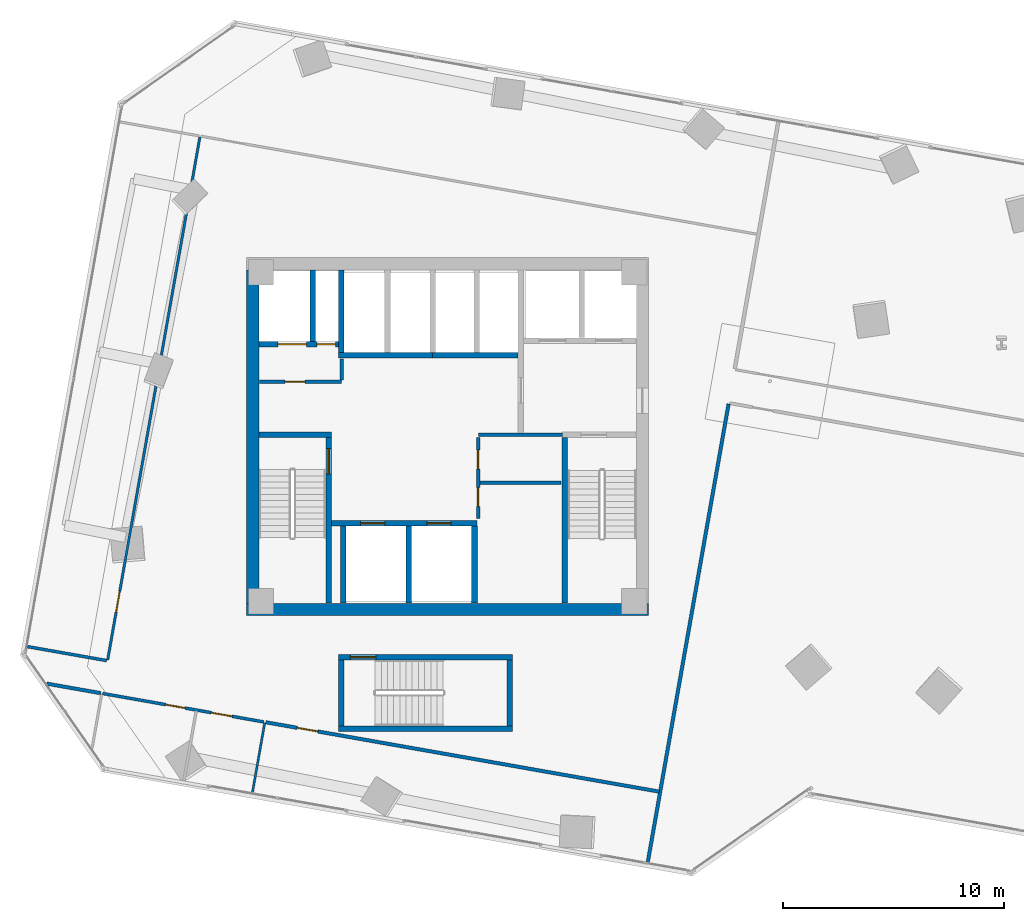
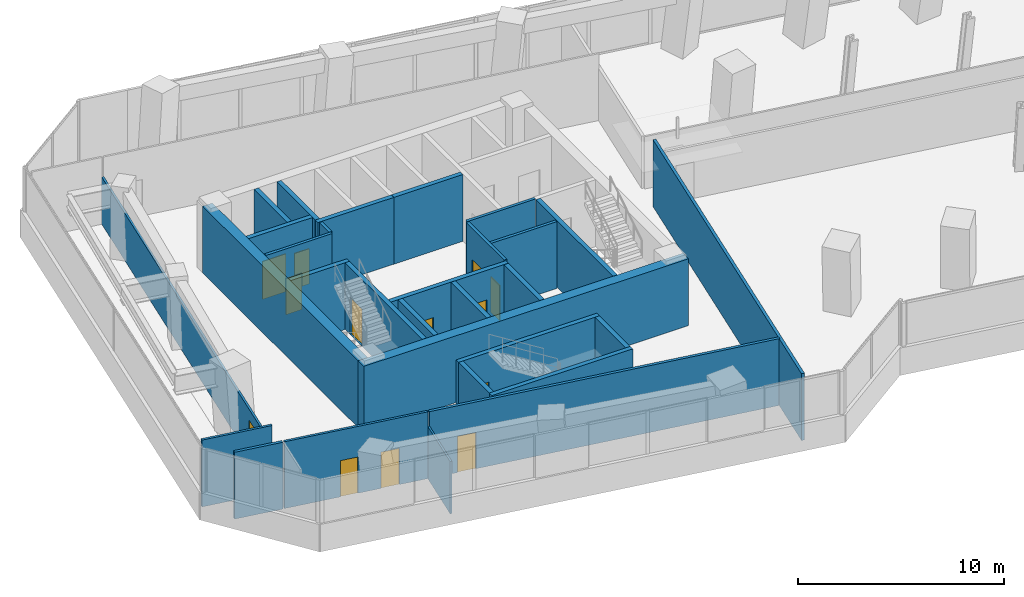
# One storey, part 19 of 24: 30 walls, 13 doors, 13 openings.
"""IFC4 building model written with IfcOpenShell, lengths in metres."""

from ifc_helpers import new_model, si_unit, direction, frame, frame_2d, origin, place, context, subcontext, project, spatial, rectangle, extrude, source, transform, mapped, material, layer, layer_set, type_object, element, fill, save


model = new_model("IFC4")

# Units and contexts
model_context = context("Model", 3, precision=1e-05, world=origin(), true_north=direction((0.0, 1.0)))
body_context = subcontext(model_context, "Body", "Model", "MODEL_VIEW")
ifc_project = project(units=[si_unit("LENGTHUNIT", "METRE"), si_unit("AREAUNIT", "SQUARE_METRE"), si_unit("VOLUMEUNIT", "CUBIC_METRE"), si_unit("PLANEANGLEUNIT", "RADIAN"), si_unit("MASSUNIT", "GRAM", prefix="KILO")], contexts=[model_context])

# Site, building, storey
site_placement = place(None, origin())
site = spatial("IfcSite", under=ifc_project, at=site_placement, CompositionType="ELEMENT")
building_placement = place(site_placement, origin())
building = spatial("IfcBuilding", under=site, at=building_placement, Name="Torre Montelarca", CompositionType="ELEMENT")
storey_placement = place(building_placement, frame((0.0, 0.0, 79.0)))
storey = spatial("IfcBuildingStorey", under=building, at=storey_placement, Name="L17", CompositionType="ELEMENT", Elevation=79.0)

# Wall, opening, door
ifc_material_1 = material(Name="Concrete C40/50", Category="concrete")
ifc_layer_1 = layer(ifc_material_1, 0.25, Name="Concrete C40/50", Category="concrete")
ifc_layer_set_1 = layer_set([ifc_layer_1], Name="Concrete C40/50")
wall_type_1 = type_object("IfcWallType", Name="CW-SHAFT-250", PredefinedType="SHEAR", material=ifc_layer_set_1)
wall_1_placement = place(storey_placement, frame((12.625, 24.4599609375, 0.0), z_axis=(0.0, 0.0, 1.0), x_axis=(0.0, 1.0, 0.0)))
wall_1 = element("IfcWall", 1, at=wall_1_placement, inside=storey, type_object=wall_type_1, Name="L17 Core Shear Wall SH-ST1-E", PredefinedType="SHEAR", context=body_context, shape_type="SweptSolid", body=[
    extrude(rectangle(XDim=7.489990234375, YDim=0.25, at=frame_2d((3.7451171875, 0.0))), origin(), (0.0, 0.0, 1.0), 3.9599609375),
])
opening_1_placement = place(wall_1_placement, frame((5.85009765625, 0.0, 0.0)))
opening_1 = element("IfcOpeningElement", 2, at=opening_1_placement, cuts=wall_1, Name="Opening FD-ST1", PredefinedType="OPENING", context=body_context, shape_type="SweptSolid", body=[
    extrude(rectangle(XDim=1.14990234375, YDim=2.199951171875, at=frame_2d((0.574951171875, 1.10009765625))), frame((0.0, 0.135009765625, 0.0), z_axis=(0.0, -1.0, 0.0), x_axis=(1.0, 0.0, 0.0)), (0.0, 0.0, 1.0), 0.27001953125),
])
ifc_material_2 = material(Name="Galvanized steel fire door", Category="steel")
door_type_1 = type_object("IfcDoorType", Name="DR-STAIR-115", OperationType="NOTDEFINED", PredefinedType="DOOR", material=ifc_material_2)
shared_shape_1 = source(origin(), body_context, "Body", "SweptSolid", [
    extrude(rectangle(XDim=1.14990234375, YDim=2.199951171875, at=frame_2d((0.574951171875, 1.10009765625))), frame((0.0, 0.02490234375, 0.0), z_axis=(0.0, -1.0, 0.0), x_axis=(1.0, 0.0, 0.0)), (0.0, 0.0, 1.0), 0.050048828125),
])
door_1_placement = place(opening_1_placement, origin())
door_1 = element("IfcDoor", 3, at=door_1_placement, inside=storey, type_object=door_type_1, Name="L17 Exit Stair ST1 Fire Door", OperationType="SINGLE_SWING_RIGHT", OverallHeight=2.199951171875, OverallWidth=1.14990234375, PredefinedType="DOOR", context=body_context, shape_type="MappedRepresentation", body=[
    mapped(shared_shape_1, transform((0.0, 0.0, 0.0), scale=1.0)),
])
fill(opening_1, door_1)

# Walls
wall_2_placement = place(storey_placement, frame((9.4599609375, 32.074951171875, 0.0), z_axis=(0.0, 0.0, 1.0), x_axis=(1.0, 0.0, 0.0)))
element("IfcWall", 4, at=wall_2_placement, inside=storey, type_object=wall_type_1, Name="L17 Core Shear Wall SH-ST1-N", PredefinedType="SHEAR", context=body_context, shape_type="SweptSolid", body=[
    extrude(rectangle(XDim=3.2900390625, YDim=0.25, at=frame_2d((1.64501953125, 0.0))), origin(), (0.0, 0.0, 1.0), 3.9599609375),
])
wall_3_placement = place(storey_placement, frame((23.31494140625, 24.4599609375, 0.0), z_axis=(0.0, 0.0, 1.0), x_axis=(0.0, 1.0, 0.0)))
element("IfcWall", 5, at=wall_3_placement, inside=storey, type_object=wall_type_1, Name="L17 Core Shear Wall SH-ST2-W", PredefinedType="SHEAR", context=body_context, shape_type="SweptSolid", body=[
    extrude(rectangle(XDim=7.489990234375, YDim=0.25, at=frame_2d((3.7451171875, 0.0))), origin(), (0.0, 0.0, 1.0), 3.9599609375),
])

# Wall, openings, doors
wall_4_placement = place(storey_placement, frame((9.4599609375, 36.179931640625, 0.0), z_axis=(0.0, 0.0, 1.0), x_axis=(1.0, 0.0, 0.0)))
wall_4 = element("IfcWall", 6, at=wall_4_placement, inside=storey, type_object=wall_type_1, Name="L17 Core Shear Wall SH-SV1-S", PredefinedType="SHEAR", context=body_context, shape_type="SweptSolid", body=[
    extrude(rectangle(XDim=3.7900390625, YDim=0.25, at=frame_2d((1.89501953125, 0.0))), origin(), (0.0, 0.0, 1.0), 3.9599609375),
])
opening_2_placement = place(wall_4_placement, frame((2.6201171875, 0.0, 0.0)))
opening_2 = element("IfcOpeningElement", 7, at=opening_2_placement, cuts=wall_4, Name="Opening FD-085", PredefinedType="OPENING", context=body_context, shape_type="SweptSolid", body=[
    extrude(rectangle(XDim=0.85009765625, YDim=2.10009765625, at=frame_2d((0.425048828125, 1.050048828125))), frame((0.0, 0.135009765625, 0.0), z_axis=(0.0, -1.0, 0.0), x_axis=(1.0, 0.0, 0.0)), (0.0, 0.0, 1.0), 0.27001953125),
])
opening_3_placement = place(wall_4_placement, frame((0.85009765625, 0.0, 0.0)))
opening_3 = element("IfcOpeningElement", 8, at=opening_3_placement, cuts=wall_4, Name="Opening LD-130", PredefinedType="OPENING", context=body_context, shape_type="SweptSolid", body=[
    extrude(rectangle(XDim=1.300048828125, YDim=2.25, at=frame_2d((0.64990234375, 1.125))), frame((0.0, 0.135009765625, 0.0), z_axis=(0.0, -1.0, 0.0), x_axis=(1.0, 0.0, 0.0)), (0.0, 0.0, 1.0), 0.27001953125),
])
ifc_material_3 = material(Name="Steel riser access fire door", Category="steel")
door_type_2 = type_object("IfcDoorType", Name="DR-RISER-085", OperationType="NOTDEFINED", PredefinedType="DOOR", material=ifc_material_3)
shared_shape_2 = source(origin(), body_context, "Body", "SweptSolid", [
    extrude(rectangle(XDim=0.85009765625, YDim=2.10009765625, at=frame_2d((0.425048828125, 1.050048828125))), frame((0.0, 0.02490234375, 0.0), z_axis=(0.0, -1.0, 0.0), x_axis=(1.0, 0.0, 0.0)), (0.0, 0.0, 1.0), 0.050048828125),
])
door_2_placement = place(opening_2_placement, origin())
door_2 = element("IfcDoor", 9, at=door_2_placement, inside=storey, type_object=door_type_2, Name="L17 Electrical Riser Shaft Access Door", OperationType="SINGLE_SWING_RIGHT", OverallHeight=2.10009765625, OverallWidth=0.85009765625, PredefinedType="DOOR", context=body_context, shape_type="MappedRepresentation", body=[
    mapped(shared_shape_2, transform((0.0, 0.0, 0.0), scale=1.0)),
])
fill(opening_2, door_2)
ifc_material_4 = material(Name="Brushed stainless steel AISI 316", Category="steel")
door_type_3 = type_object("IfcDoorType", Name="DR-LIFT-130", OperationType="SLIDING_TO_LEFT", PredefinedType="DOOR", material=ifc_material_4)
shared_shape_3 = source(origin(), body_context, "Body", "SweptSolid", [
    extrude(rectangle(XDim=1.300048828125, YDim=2.25, at=frame_2d((0.64990234375, 1.125))), frame((0.0, 0.02490234375, 0.0), z_axis=(0.0, -1.0, 0.0), x_axis=(1.0, 0.0, 0.0)), (0.0, 0.0, 1.0), 0.050048828125),
])
door_3_placement = place(opening_3_placement, origin())
door_3 = element("IfcDoor", 10, at=door_3_placement, inside=storey, type_object=door_type_3, Name="L17 Lift Landing Sliding Door SV-1", OperationType="SLIDING_TO_LEFT", OverallHeight=2.25, OverallWidth=1.300048828125, PredefinedType="DOOR", context=body_context, shape_type="MappedRepresentation", body=[
    mapped(shared_shape_3, transform((0.0, 0.0, 0.0), scale=1.0)),
])
fill(opening_3, door_3)

# Wall
wall_5_placement = place(storey_placement, frame((11.89990234375, 36.31005859375, 0.0), z_axis=(0.0, 0.0, 1.0), x_axis=(0.0, 1.0, 0.0)))
element("IfcWall", 11, at=wall_5_placement, inside=storey, type_object=wall_type_1, Name="L17 Core Shear Wall SH-SV1-E", PredefinedType="SHEAR", context=body_context, shape_type="SweptSolid", body=[
    extrude(rectangle(XDim=3.22998046875, YDim=0.25, at=frame_2d((1.614990234375, 0.0))), origin(), (0.0, 0.0, 1.0), 3.9599609375),
])

# Wall, openings, doors
wall_6_placement = place(storey_placement, frame((12.6298828125, 28.080078125, 0.0), z_axis=(0.0, 0.0, 1.0), x_axis=(1.0, 0.0, 0.0)))
wall_6 = element("IfcWall", 12, at=wall_6_placement, inside=storey, type_object=wall_type_1, Name="L17 Core Shear Wall SH-PLL-N", PredefinedType="SHEAR", context=body_context, shape_type="SweptSolid", body=[
    extrude(rectangle(XDim=6.710205078125, YDim=0.25, at=frame_2d((3.35498046875, 0.0))), origin(), (0.0, 0.0, 1.0), 3.9599609375),
])
opening_4_placement = place(wall_6_placement, frame((1.429931640625, 0.0, 0.0)))
opening_4 = element("IfcOpeningElement", 13, at=opening_4_placement, cuts=wall_6, Name="Opening LD-110", PredefinedType="OPENING", context=body_context, shape_type="SweptSolid", body=[
    extrude(rectangle(XDim=1.10009765625, YDim=2.199951171875, at=frame_2d((0.550048828125, 1.10009765625))), frame((0.0, 0.135009765625, 0.0), z_axis=(0.0, -1.0, 0.0), x_axis=(1.0, 0.0, 0.0)), (0.0, 0.0, 1.0), 0.27001953125),
])
opening_5_placement = place(wall_6_placement, frame((4.429931640625, 0.0, 0.0)))
opening_5 = element("IfcOpeningElement", 14, at=opening_5_placement, cuts=wall_6, Name="Opening LD-110", PredefinedType="OPENING", context=body_context, shape_type="SweptSolid", body=[
    extrude(rectangle(XDim=1.10009765625, YDim=2.199951171875, at=frame_2d((0.550048828125, 1.10009765625))), frame((0.0, 0.135009765625, 0.0), z_axis=(0.0, -1.0, 0.0), x_axis=(1.0, 0.0, 0.0)), (0.0, 0.0, 1.0), 0.27001953125),
])
door_type_4 = type_object("IfcDoorType", Name="DR-LIFT-110", OperationType="SLIDING_TO_LEFT", PredefinedType="DOOR", material=ifc_material_4)
shared_shape_4 = source(origin(), body_context, "Body", "SweptSolid", [
    extrude(rectangle(XDim=1.10009765625, YDim=2.199951171875, at=frame_2d((0.550048828125, 1.10009765625))), frame((0.0, 0.02490234375, 0.0), z_axis=(0.0, -1.0, 0.0), x_axis=(1.0, 0.0, 0.0)), (0.0, 0.0, 1.0), 0.050048828125),
])
door_4_placement = place(opening_4_placement, origin())
door_4 = element("IfcDoor", 15, at=door_4_placement, inside=storey, type_object=door_type_4, Name="L17 Lift Landing Sliding Door PL-L1", OperationType="SLIDING_TO_LEFT", OverallHeight=2.199951171875, OverallWidth=1.10009765625, PredefinedType="DOOR", context=body_context, shape_type="MappedRepresentation", body=[
    mapped(shared_shape_4, transform((0.0, 0.0, 0.0), scale=1.0)),
])
fill(opening_4, door_4)
door_5_placement = place(opening_5_placement, origin())
door_5 = element("IfcDoor", 16, at=door_5_placement, inside=storey, type_object=door_type_4, Name="L17 Lift Landing Sliding Door PL-L2", OperationType="SLIDING_TO_RIGHT", OverallHeight=2.199951171875, OverallWidth=1.10009765625, PredefinedType="DOOR", context=body_context, shape_type="MappedRepresentation", body=[
    mapped(shared_shape_4, transform((0.0, 0.0, 0.0), scale=1.0)),
])
fill(opening_5, door_5)

# Walls
for number, where, z_axis, x_axis, name in (
    (17, (13.280029296875, 24.4599609375, 0.0), (0.0, 0.0, 1.0), (0.0, 1.0, 0.0), "L17 Core Shear Wall SH-PLL-W"),
    (18, (16.25, 24.4599609375, 0.0), (0.0, 0.0, 1.0), (0.0, 1.0, 0.0), "L17 Core Shear Wall SH-PLL-M"),
    (19, (19.219970703125, 24.4599609375, 0.0), (0.0, 0.0, 1.0), (0.0, 1.0, 0.0), "L17 Core Shear Wall SH-PLL-E"),
):
    element("IfcWall", number, at=place(storey_placement, frame(where, z_axis=z_axis, x_axis=x_axis)), inside=storey, type_object=wall_type_1, Name=name, PredefinedType="SHEAR", context=body_context, shape_type="SweptSolid", body=[
        extrude(rectangle(XDim=3.489990234375, YDim=0.25, at=frame_2d((1.7451171875, 0.0))), origin(), (0.0, 0.0, 1.0), 3.9599609375),
    ])
wall_7_placement = place(storey_placement, frame((13.06005859375, 35.679931640625, 0.0), z_axis=(0.0, 0.0, 1.0), x_axis=(1.0, 0.0, 0.0)))
element("IfcWall", 20, at=wall_7_placement, inside=storey, type_object=wall_type_1, Name="L17 Core Shear Wall SH-PLM-S", PredefinedType="SHEAR", context=body_context, shape_type="SweptSolid", body=[
    extrude(rectangle(XDim=4.25, YDim=0.25, at=frame_2d((2.125, 0.0))), origin(), (0.0, 0.0, 1.0), 3.9599609375),
])
wall_8_placement = place(storey_placement, frame((13.179931640625, 35.81005859375, 0.0), z_axis=(0.0, 0.0, 1.0), x_axis=(0.0, 1.0, 0.0)))
element("IfcWall", 21, at=wall_8_placement, inside=storey, type_object=wall_type_1, Name="L17 Core Shear Wall SH-PLM-W", PredefinedType="SHEAR", context=body_context, shape_type="SweptSolid", body=[
    extrude(rectangle(XDim=3.72998046875, YDim=0.25, at=frame_2d((1.864990234375, 0.0))), origin(), (0.0, 0.0, 1.0), 3.9599609375),
])
wall_9_placement = place(storey_placement, frame((17.320068359375, 35.679931640625, 0.0), z_axis=(0.0, 0.0, 1.0), x_axis=(1.0, 0.0, 0.0)))
element("IfcWall", 22, at=wall_9_placement, inside=storey, type_object=wall_type_1, Name="L17 Core Shear Wall SH-PLH-S", PredefinedType="SHEAR", context=body_context, shape_type="SweptSolid", body=[
    extrude(rectangle(XDim=3.869873046875, YDim=0.25, at=frame_2d((1.93505859375, 0.0))), origin(), (0.0, 0.0, 1.0), 3.9599609375),
])
for number, where, z_axis, x_axis, name in (
    (23, (13.175048828125, 18.89990234375, 0.0), (0.0, 0.0, 1.0), (0.0, 1.0, 0.0), "L17 Core Shear Wall SH-ST3-W"),
    (24, (20.824951171875, 18.89990234375, 0.0), (0.0, 0.0, 1.0), (0.0, 1.0, 0.0), "L17 Core Shear Wall SH-ST3-E"),
):
    element("IfcWall", number, at=place(storey_placement, frame(where, z_axis=z_axis, x_axis=x_axis)), inside=storey, type_object=wall_type_1, Name=name, PredefinedType="SHEAR", context=body_context, shape_type="SweptSolid", body=[
        extrude(rectangle(XDim=2.989990234375, YDim=0.25, at=frame_2d((1.4951171875, 0.0))), origin(), (0.0, 0.0, 1.0), 3.9599609375),
    ])
wall_10_placement = place(storey_placement, frame((13.050048828125, 18.77490234375, 0.0), z_axis=(0.0, 0.0, 1.0), x_axis=(1.0, 0.0, 0.0)))
element("IfcWall", 25, at=wall_10_placement, inside=storey, type_object=wall_type_1, Name="L17 Core Shear Wall SH-ST3-S", PredefinedType="SHEAR", context=body_context, shape_type="SweptSolid", body=[
    extrude(rectangle(XDim=7.89990234375, YDim=0.25, at=frame_2d((3.949951171875, 0.0))), origin(), (0.0, 0.0, 1.0), 3.9599609375),
])

# Wall, opening, door
wall_11_placement = place(storey_placement, frame((13.050048828125, 22.014892578125, 0.0), z_axis=(0.0, 0.0, 1.0), x_axis=(1.0, 0.0, 0.0)))
wall_11 = element("IfcWall", 26, at=wall_11_placement, inside=storey, type_object=wall_type_1, Name="L17 Core Shear Wall SH-ST3-N", PredefinedType="SHEAR", context=body_context, shape_type="SweptSolid", body=[
    extrude(rectangle(XDim=7.89990234375, YDim=0.25, at=frame_2d((3.949951171875, 0.0))), origin(), (0.0, 0.0, 1.0), 3.9599609375),
])
opening_6_placement = place(wall_11_placement, frame((0.550048828125, 0.0, 0.0)))
opening_6 = element("IfcOpeningElement", 27, at=opening_6_placement, cuts=wall_11, Name="Opening FD-ST1", PredefinedType="OPENING", context=body_context, shape_type="SweptSolid", body=[
    extrude(rectangle(XDim=1.14990234375, YDim=2.199951171875, at=frame_2d((0.574951171875, 1.10009765625))), frame((0.0, 0.135009765625, 0.0), z_axis=(0.0, -1.0, 0.0), x_axis=(1.0, 0.0, 0.0)), (0.0, 0.0, 1.0), 0.27001953125),
])
door_6_placement = place(opening_6_placement, origin())
door_6 = element("IfcDoor", 28, at=door_6_placement, inside=storey, type_object=door_type_1, Name="L17 Exit Stair ST3 Fire Door", OperationType="SINGLE_SWING_LEFT", OverallHeight=2.199951171875, OverallWidth=1.14990234375, PredefinedType="DOOR", context=body_context, shape_type="MappedRepresentation", body=[
    mapped(shared_shape_1, transform((0.0, 0.0, 0.0), scale=1.0)),
])
fill(opening_6, door_6)

# Walls
ifc_material_5 = material(Name="Concrete C70/85", Category="concrete")
ifc_layer_2 = layer(ifc_material_5, 0.550048828125, Name="Concrete C70/85", Category="concrete")
ifc_layer_set_2 = layer_set([ifc_layer_2], Name="Concrete C70/85")
wall_type_2 = type_object("IfcWallType", Name="CW-SHEAR-550", PredefinedType="SHEAR", material=ifc_layer_set_2)
wall_12_placement = place(storey_placement, frame((9.175048828125, 24.449951171875, 0.0), z_axis=(0.0, 0.0, 1.0), x_axis=(0.0, 1.0, 0.0)))
element("IfcWall", 29, at=wall_12_placement, inside=storey, type_object=wall_type_2, Name="L17 Core Shear Wall CW-W", PredefinedType="SHEAR", context=body_context, shape_type="SweptSolid", body=[
    extrude(rectangle(XDim=15.10009765625, YDim=0.550048828125, at=frame_2d((7.550048828125, 0.0))), origin(), (0.0, 0.0, 1.0), 3.9599609375),
])
wall_13_placement = place(storey_placement, frame((8.89990234375, 24.175048828125, 0.0), z_axis=(0.0, 0.0, 1.0), x_axis=(1.0, 0.0, 0.0)))
element("IfcWall", 30, at=wall_13_placement, inside=storey, type_object=wall_type_2, Name="L17 Core Shear Wall CW-S1", PredefinedType="SHEAR", context=body_context, shape_type="SweptSolid", body=[
    extrude(rectangle(XDim=18.2001953125, YDim=0.550048828125, at=frame_2d((9.10009765625, 0.0))), origin(), (0.0, 0.0, 1.0), 3.9599609375),
])

# Wall, opening, door
ifc_material_6 = material(Name="Gypsum plasterboard on steel stud", Category="steel")
ifc_layer_3 = layer(ifc_material_6, 0.159912109375, Name="Gypsum plasterboard on steel stud", Category="steel")
ifc_layer_set_3 = layer_set([ifc_layer_3], Name="Gypsum plasterboard on steel stud")
wall_type_3 = type_object("IfcWallType", Name="PW-FIRE-160", PredefinedType="PARTITIONING", material=ifc_layer_set_3)
wall_14_placement = place(storey_placement, frame((9.489990234375, 34.47998046875, 0.0), z_axis=(0.0, 0.0, 1.0), x_axis=(1.0, 0.0, 0.0)))
wall_14 = element("IfcWall", 31, at=wall_14_placement, inside=storey, type_object=wall_type_3, Name="L17 Interior Partition CW-L17-SVS", PredefinedType="PARTITIONING", context=body_context, shape_type="SweptSolid", body=[
    extrude(rectangle(XDim=3.699951171875, YDim=0.159912109375, at=frame_2d((1.85009765625, 0.0))), origin(), (0.0, 0.0, 1.0), 3.9599609375),
])
opening_7_placement = place(wall_14_placement, frame((1.14990234375, 0.0, 0.0)))
opening_7 = element("IfcOpeningElement", 32, at=opening_7_placement, cuts=wall_14, Name="Opening FD-090", PredefinedType="OPENING", context=body_context, shape_type="SweptSolid", body=[
    extrude(rectangle(XDim=0.89990234375, YDim=2.14990234375, at=frame_2d((0.449951171875, 1.074951171875))), frame((0.0, 0.08984375, 0.0), z_axis=(0.0, -1.0, 0.0), x_axis=(1.0, 0.0, 0.0)), (0.0, 0.0, 1.0), 0.179931640625),
])
ifc_material_7 = material(Name="Steel service fire door", Category="steel")
door_type_5 = type_object("IfcDoorType", Name="DR-FIRE-090", OperationType="NOTDEFINED", PredefinedType="DOOR", material=ifc_material_7)
shared_shape_5 = source(origin(), body_context, "Body", "SweptSolid", [
    extrude(rectangle(XDim=0.89990234375, YDim=2.14990234375, at=frame_2d((0.449951171875, 1.074951171875))), frame((0.0, 0.02490234375, 0.0), z_axis=(0.0, -1.0, 0.0), x_axis=(1.0, 0.0, 0.0)), (0.0, 0.0, 1.0), 0.050048828125),
])
door_7_placement = place(opening_7_placement, origin())
door_7 = element("IfcDoor", 33, at=door_7_placement, inside=storey, type_object=door_type_5, Name="L17 Interior Door 01", OperationType="SINGLE_SWING_RIGHT", OverallHeight=2.14990234375, OverallWidth=0.89990234375, PredefinedType="DOOR", context=body_context, shape_type="MappedRepresentation", body=[
    mapped(shared_shape_5, transform((0.0, 0.0, 0.0), scale=1.0)),
])
fill(opening_7, door_7)

# Walls
wall_15_placement = place(storey_placement, frame((13.199951171875, 34.570068359375, 0.0), z_axis=(0.0, 0.0, 1.0), x_axis=(0.0, 1.0, 0.0)))
element("IfcWall", 34, at=wall_15_placement, inside=storey, type_object=wall_type_3, Name="L17 Interior Partition CW-L17-SVE", PredefinedType="PARTITIONING", context=body_context, shape_type="SweptSolid", body=[
    extrude(rectangle(XDim=0.93994140625, YDim=0.159912109375, at=frame_2d((0.469970703125, 0.0))), origin(), (0.0, 0.0, 1.0), 3.9599609375),
])
wall_16_placement = place(storey_placement, frame((19.389892578125, 32.080078125, 0.0), z_axis=(0.0, 0.0, 1.0), x_axis=(1.0, 0.0, 0.0)))
element("IfcWall", 35, at=wall_16_placement, inside=storey, type_object=wall_type_3, Name="L17 Interior Partition CW-L17-SEN", PredefinedType="PARTITIONING", context=body_context, shape_type="SweptSolid", body=[
    extrude(rectangle(XDim=3.820068359375, YDim=0.159912109375, at=frame_2d((1.91015625, 0.0))), origin(), (0.0, 0.0, 1.0), 3.9599609375),
])

# Wall, openings, doors
wall_17_placement = place(storey_placement, frame((19.3798828125, 28.2900390625, 0.0), z_axis=(0.0, 0.0, 1.0), x_axis=(0.0, 1.0, 0.0)))
wall_17 = element("IfcWall", 36, at=wall_17_placement, inside=storey, type_object=wall_type_3, Name="L17 Interior Partition CW-L17-SEW", PredefinedType="PARTITIONING", context=body_context, shape_type="SweptSolid", body=[
    extrude(rectangle(XDim=3.669921875, YDim=0.159912109375, at=frame_2d((1.8349609375, 0.0))), origin(), (0.0, 0.0, 1.0), 3.9599609375),
])
opening_8_placement = place(wall_17_placement, frame((0.550048828125, 0.0, 0.0)))
opening_8 = element("IfcOpeningElement", 37, at=opening_8_placement, cuts=wall_17, Name="Opening FD-085", PredefinedType="OPENING", context=body_context, shape_type="SweptSolid", body=[
    extrude(rectangle(XDim=0.85009765625, YDim=2.10009765625, at=frame_2d((0.425048828125, 1.050048828125))), frame((0.0, 0.08984375, 0.0), z_axis=(0.0, -1.0, 0.0), x_axis=(1.0, 0.0, 0.0)), (0.0, 0.0, 1.0), 0.179931640625),
])
opening_9_placement = place(wall_17_placement, frame((2.25, 0.0, 0.0)))
opening_9 = element("IfcOpeningElement", 38, at=opening_9_placement, cuts=wall_17, Name="Opening FD-085", PredefinedType="OPENING", context=body_context, shape_type="SweptSolid", body=[
    extrude(rectangle(XDim=0.85009765625, YDim=2.10009765625, at=frame_2d((0.425048828125, 1.050048828125))), frame((0.0, 0.08984375, 0.0), z_axis=(0.0, -1.0, 0.0), x_axis=(1.0, 0.0, 0.0)), (0.0, 0.0, 1.0), 0.179931640625),
])
door_8_placement = place(opening_8_placement, origin())
door_8 = element("IfcDoor", 39, at=door_8_placement, inside=storey, type_object=door_type_2, Name="L17 Interior Door 02", OperationType="SINGLE_SWING_LEFT", OverallHeight=2.10009765625, OverallWidth=0.85009765625, PredefinedType="DOOR", context=body_context, shape_type="MappedRepresentation", body=[
    mapped(shared_shape_2, transform((0.0, 0.0, 0.0), scale=1.0)),
])
fill(opening_8, door_8)
door_9_placement = place(opening_9_placement, origin())
door_9 = element("IfcDoor", 40, at=door_9_placement, inside=storey, type_object=door_type_2, Name="L17 Interior Door 03", OperationType="SINGLE_SWING_RIGHT", OverallHeight=2.10009765625, OverallWidth=0.85009765625, PredefinedType="DOOR", context=body_context, shape_type="MappedRepresentation", body=[
    mapped(shared_shape_2, transform((0.0, 0.0, 0.0), scale=1.0)),
])
fill(opening_9, door_9)

# Walls
wall_18_placement = place(storey_placement, frame((19.419921875, 29.89990234375, 0.0), z_axis=(0.0, 0.0, 1.0), x_axis=(1.0, 0.0, 0.0)))
element("IfcWall", 41, at=wall_18_placement, inside=storey, type_object=wall_type_3, Name="L17 Interior Partition CW-L17-SEM", PredefinedType="PARTITIONING", context=body_context, shape_type="SweptSolid", body=[
    extrude(rectangle(XDim=3.719970703125, YDim=0.159912109375, at=frame_2d((1.85986328125, 0.0))), origin(), (0.0, 0.0, 1.0), 3.9599609375),
])
wall_19_placement = place(storey_placement, frame((-0.154052734375, 20.810302734375, 0.0), z_axis=(0.0, 0.0, 1.0), x_axis=(0.984798349436, -0.173701499557, 0.0)))
element("IfcWall", 42, at=wall_19_placement, inside=storey, type_object=wall_type_3, Name="L17 Interior Partition W-L17-SOCCW", PredefinedType="PARTITIONING", context=body_context, shape_type="SweptSolid", body=[
    extrude(rectangle(XDim=2.491943359375, YDim=0.159912109375, at=frame_2d((1.24609375, 0.0))), origin(), (0.0, 0.0, 1.0), 3.9599609375),
])

# Wall, opening, door
wall_20_placement = place(storey_placement, frame((9.764892578125, 19.061279296875, 0.0), z_axis=(0.0, 0.0, 1.0), x_axis=(0.984807312871, -0.173650673815, 0.0)))
wall_20 = element("IfcWall", 43, at=wall_20_placement, inside=storey, type_object=wall_type_3, Name="L17 Interior Partition W-L17-SOCCN", PredefinedType="PARTITIONING", context=body_context, shape_type="SweptSolid", body=[
    extrude(rectangle(XDim=18.099853515625, YDim=0.159912109375, at=frame_2d((9.0498046875, 0.0))), origin(), (0.0, 0.0, 1.0), 3.9599609375),
])
opening_10_placement = place(wall_20_placement, frame((1.449951171875, 0.0, 0.0)))
opening_10 = element("IfcOpeningElement", 44, at=opening_10_placement, cuts=wall_20, Name="Opening FD-095", PredefinedType="OPENING", context=body_context, shape_type="SweptSolid", body=[
    extrude(rectangle(XDim=0.949951171875, YDim=2.14990234375, at=frame_2d((0.47509765625, 1.074951171875))), frame((0.0, 0.08984375, 0.0), z_axis=(0.0, -1.0, 0.0), x_axis=(1.0, 0.0, 0.0)), (0.0, 0.0, 1.0), 0.179931640625),
])
ifc_material_8 = material(Name="Timber fire-rated room door", Category="wood")
door_type_6 = type_object("IfcDoorType", Name="DR-FIRE-095", OperationType="NOTDEFINED", PredefinedType="DOOR", material=ifc_material_8)
shared_shape_6 = source(origin(), body_context, "Body", "SweptSolid", [
    extrude(rectangle(XDim=0.949951171875, YDim=2.14990234375, at=frame_2d((0.47509765625, 1.074951171875))), frame((0.0, 0.02490234375, 0.0), z_axis=(0.0, -1.0, 0.0), x_axis=(1.0, 0.0, 0.0)), (0.0, 0.0, 1.0), 0.050048828125),
])
door_10_placement = place(opening_10_placement, origin())
door_10 = element("IfcDoor", 45, at=door_10_placement, inside=storey, type_object=door_type_6, Name="L17 Interior Door 06", OperationType="SINGLE_SWING_RIGHT", OverallHeight=2.14990234375, OverallWidth=0.949951171875, PredefinedType="DOOR", context=body_context, shape_type="MappedRepresentation", body=[
    mapped(shared_shape_6, transform((0.0, 0.0, 0.0), scale=1.0)),
])
fill(opening_10, door_10)

# Walls
wall_21_placement = place(storey_placement, frame((27.066650390625, 12.720458984375, 0.0), z_axis=(0.0, 0.0, 1.0), x_axis=(0.173654514703, 0.984806635601, 0.0)))
element("IfcWall", 46, at=wall_21_placement, inside=storey, type_object=wall_type_3, Name="L17 Interior Partition W-L17-ECS", PredefinedType="PARTITIONING", context=body_context, shape_type="SweptSolid", body=[
    extrude(rectangle(XDim=21.080078125, YDim=0.159912109375, at=frame_2d((10.5400390625, 0.0))), origin(), (0.0, 0.0, 1.0), 3.9599609375),
])
ifc_material_9 = material(Name="Acoustic laminated glass partition", Category="glass")
ifc_layer_4 = layer(ifc_material_9, 0.10009765625, Name="Acoustic laminated glass partition", Category="glass")
ifc_layer_set_4 = layer_set([ifc_layer_4], Name="Acoustic laminated glass partition")
wall_type_4 = type_object("IfcWallType", Name="PW-GLAZ-100", PredefinedType="PARTITIONING", material=ifc_layer_set_4)
wall_22_placement = place(storey_placement, frame((9.162841796875, 15.87744140625, 0.0), z_axis=(0.0, 0.0, 1.0), x_axis=(0.173646056486, 0.984808127031, 0.0)))
element("IfcWall", 47, at=wall_22_placement, inside=storey, type_object=wall_type_4, Name="L17 Interior Partition W-L17-SWCDIV", PredefinedType="PARTITIONING", context=body_context, shape_type="SweptSolid", body=[
    extrude(rectangle(XDim=3.199951171875, YDim=0.10009765625, at=frame_2d((1.60009765625, 0.0))), origin(), (0.0, 0.0, 1.0), 3.094970703125),
])

# Wall, opening, door
ifc_layer_5 = layer(ifc_material_6, 0.114990234375, Name="Gypsum plasterboard on steel stud", Category="steel")
ifc_layer_set_5 = layer_set([ifc_layer_5], Name="Gypsum plasterboard on steel stud")
wall_type_5 = type_object("IfcWallType", Name="PW-PART-115", PredefinedType="PARTITIONING", material=ifc_layer_set_5)
wall_23_placement = place(storey_placement, frame((2.606689453125, 21.88720703125, 0.0), z_axis=(0.0, 0.0, 1.0), x_axis=(0.173659666579, 0.984805727138, 0.0)))
wall_23 = element("IfcWall", 48, at=wall_23_placement, inside=storey, type_object=wall_type_5, Name="L17 Interior Partition W-L17-WWGE", PredefinedType="PARTITIONING", context=body_context, shape_type="SweptSolid", body=[
    extrude(rectangle(XDim=24.050048828125, YDim=0.114990234375, at=frame_2d((12.02490234375, 0.0))), origin(), (0.0, 0.0, 1.0), 2.794921875),
])
opening_11_placement = place(wall_23_placement, frame((2.199951171875, 0.0, 0.0)))
opening_11 = element("IfcOpeningElement", 49, at=opening_11_placement, cuts=wall_23, Name="Opening ID-095", PredefinedType="OPENING", context=body_context, shape_type="SweptSolid", body=[
    extrude(rectangle(XDim=0.949951171875, YDim=2.14990234375, at=frame_2d((0.47509765625, 1.074951171875))), frame((0.0, 0.0673828125, 0.0), z_axis=(0.0, -1.0, 0.0), x_axis=(1.0, 0.0, 0.0)), (0.0, 0.0, 1.0), 0.135009765625),
])
ifc_material_10 = material(Name="Hardwood acoustic timber veneer", Category="wood")
door_type_7 = type_object("IfcDoorType", Name="DR-INT-095", OperationType="NOTDEFINED", PredefinedType="DOOR", material=ifc_material_10)
shared_shape_7 = source(origin(), body_context, "Body", "SweptSolid", [
    extrude(rectangle(XDim=0.949951171875, YDim=2.14990234375, at=frame_2d((0.47509765625, 1.074951171875))), frame((0.0, 0.02490234375, 0.0), z_axis=(0.0, -1.0, 0.0), x_axis=(1.0, 0.0, 0.0)), (0.0, 0.0, 1.0), 0.050048828125),
])
door_11_placement = place(opening_11_placement, origin())
door_11 = element("IfcDoor", 50, at=door_11_placement, inside=storey, type_object=door_type_7, Name="L17 Interior Door 08", OperationType="SINGLE_SWING_LEFT", OverallHeight=2.14990234375, OverallWidth=0.949951171875, PredefinedType="DOOR", context=body_context, shape_type="MappedRepresentation", body=[
    mapped(shared_shape_7, transform((0.0, 0.0, 0.0), scale=1.0)),
])
fill(opening_11, door_11)

# Wall, openings, doors
ifc_layer_6 = layer(ifc_material_6, 0.135009765625, Name="Gypsum plasterboard on steel stud", Category="steel")
ifc_layer_set_6 = layer_set([ifc_layer_6], Name="Gypsum plasterboard on steel stud")
wall_type_6 = type_object("IfcWallType", Name="PW-PART-135", PredefinedType="PARTITIONING", material=ifc_layer_set_6)
wall_24_placement = place(storey_placement, frame((2.37890625, 20.363525390625, 0.0), z_axis=(0.0, 0.0, 1.0), x_axis=(0.984810378022, -0.173633289837, 0.0)))
wall_24 = element("IfcWall", 51, at=wall_24_placement, inside=storey, type_object=wall_type_6, Name="L17 Interior Partition W-L17-WCN", PredefinedType="PARTITIONING", context=body_context, shape_type="SweptSolid", body=[
    extrude(rectangle(XDim=7.419921875, YDim=0.135009765625, at=frame_2d((3.7099609375, 0.0))), origin(), (0.0, 0.0, 1.0), 3.9599609375),
])
opening_12_placement = place(wall_24_placement, frame((2.89990234375, 0.0, 0.0)))
opening_12 = element("IfcOpeningElement", 52, at=opening_12_placement, cuts=wall_24, Name="Opening ID-090", PredefinedType="OPENING", context=body_context, shape_type="SweptSolid", body=[
    extrude(rectangle(XDim=0.89990234375, YDim=2.14990234375, at=frame_2d((0.449951171875, 1.074951171875))), frame((0.0, 0.07763671875, 0.0), z_axis=(0.0, -1.0, 0.0), x_axis=(1.0, 0.0, 0.0)), (0.0, 0.0, 1.0), 0.155029296875),
])
opening_13_placement = place(wall_24_placement, frame((5.0, 0.0, 0.0)))
opening_13 = element("IfcOpeningElement", 53, at=opening_13_placement, cuts=wall_24, Name="Opening ID-095", PredefinedType="OPENING", context=body_context, shape_type="SweptSolid", body=[
    extrude(rectangle(XDim=0.949951171875, YDim=2.14990234375, at=frame_2d((0.47509765625, 1.074951171875))), frame((0.0, 0.07763671875, 0.0), z_axis=(0.0, -1.0, 0.0), x_axis=(1.0, 0.0, 0.0)), (0.0, 0.0, 1.0), 0.155029296875),
])
door_type_8 = type_object("IfcDoorType", Name="DR-INT-090", OperationType="NOTDEFINED", PredefinedType="DOOR", material=ifc_material_10)
shared_shape_8 = source(origin(), body_context, "Body", "SweptSolid", [
    extrude(rectangle(XDim=0.89990234375, YDim=2.14990234375, at=frame_2d((0.449951171875, 1.074951171875))), frame((0.0, 0.02490234375, 0.0), z_axis=(0.0, -1.0, 0.0), x_axis=(1.0, 0.0, 0.0)), (0.0, 0.0, 1.0), 0.050048828125),
])
door_12_placement = place(opening_12_placement, origin())
door_12 = element("IfcDoor", 54, at=door_12_placement, inside=storey, type_object=door_type_8, Name="L17 Interior Door 04", OperationType="SINGLE_SWING_LEFT", OverallHeight=2.14990234375, OverallWidth=0.89990234375, PredefinedType="DOOR", context=body_context, shape_type="MappedRepresentation", body=[
    mapped(shared_shape_8, transform((0.0, 0.0, 0.0), scale=1.0)),
])
fill(opening_12, door_12)
door_13_placement = place(opening_13_placement, origin())
door_13 = element("IfcDoor", 55, at=door_13_placement, inside=storey, type_object=door_type_7, Name="L17 Interior Door 05", OperationType="SINGLE_SWING_RIGHT", OverallHeight=2.14990234375, OverallWidth=0.949951171875, PredefinedType="DOOR", context=body_context, shape_type="MappedRepresentation", body=[
    mapped(shared_shape_7, transform((0.0, 0.0, 0.0), scale=1.0)),
])
fill(opening_13, door_13)

# Wall
wall_25_placement = place(storey_placement, frame((-1.014404296875, 22.485107421875, 0.0), z_axis=(0.0, 0.0, 1.0), x_axis=(0.984795743306, -0.173716274326, 0.0)))
element("IfcWall", 56, at=wall_25_placement, inside=storey, type_object=wall_type_6, Name="L17 Interior Partition W-L17-WWGS", PredefinedType="PARTITIONING", context=body_context, shape_type="SweptSolid", body=[
    extrude(rectangle(XDim=3.630126953125, YDim=0.135009765625, at=frame_2d((1.81494140625, 0.0))), origin(), (0.0, 0.0, 1.0), 3.9599609375),
])

save(model, "model.ifc")
